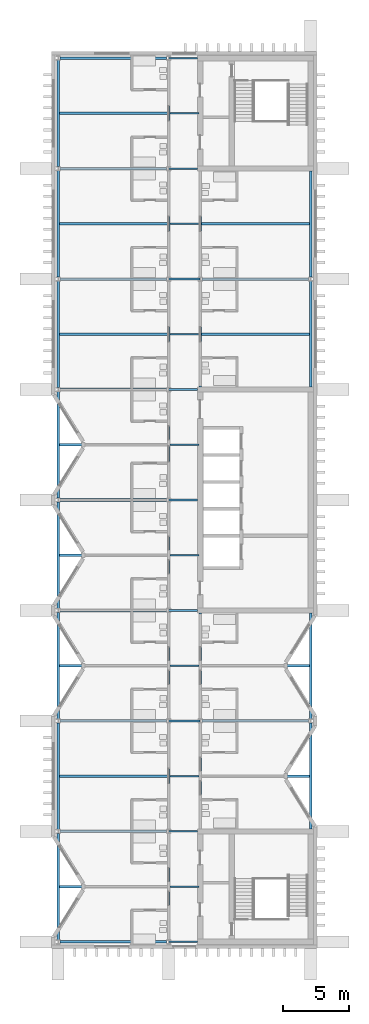
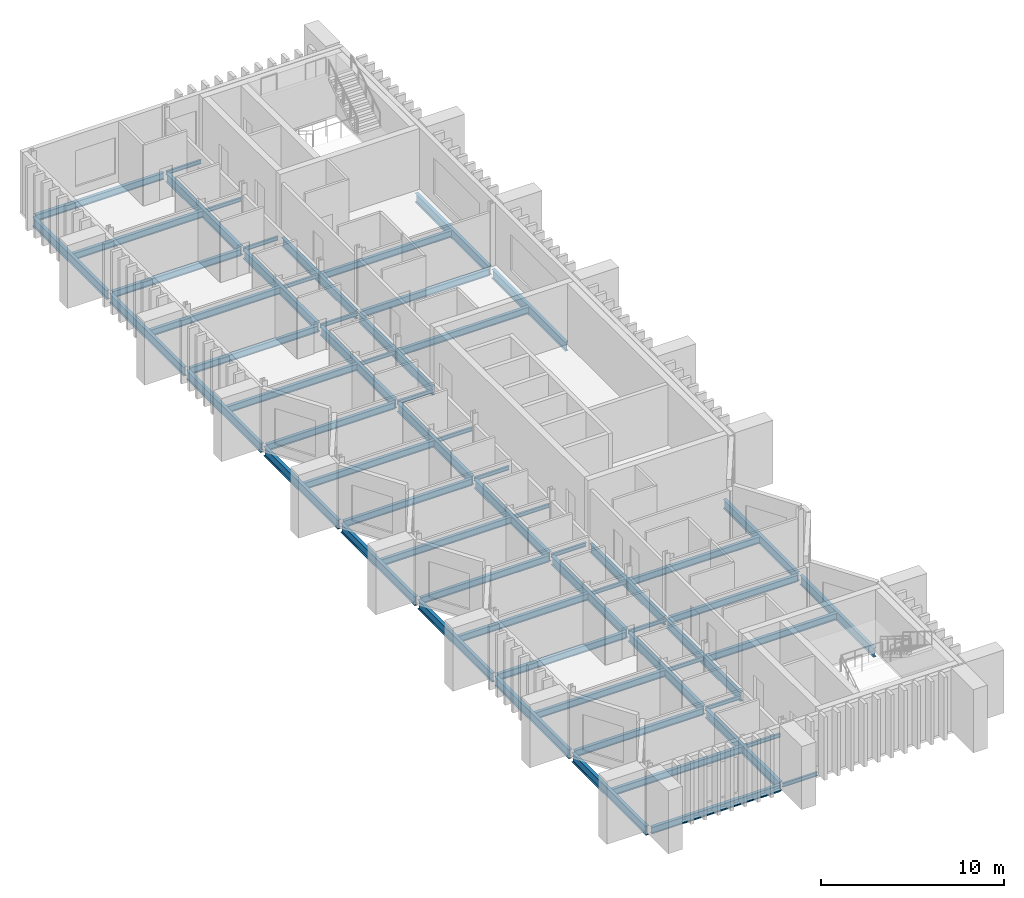
# One storey, part 3 of 10: 64 beams.
"""IFC4 building model written with IfcOpenShell, lengths in metres."""

from ifc_helpers import new_model, si_unit, direction, frame, origin, origin_2d, place, context, subcontext, project, spatial, i_section, extrude, material, material_profile, profile_set, type_object, element, save


model = new_model("IFC4")

# Units and contexts
model_context = context("Model", 3, precision=1e-05, world=origin(), true_north=direction((0.0, 1.0)))
body_context = subcontext(model_context, "Body", "Model", "MODEL_VIEW")
ifc_project = project(units=[si_unit("LENGTHUNIT", "METRE"), si_unit("AREAUNIT", "SQUARE_METRE"), si_unit("VOLUMEUNIT", "CUBIC_METRE"), si_unit("PLANEANGLEUNIT", "RADIAN"), si_unit("MASSUNIT", "GRAM", prefix="KILO")], contexts=[model_context])

# Site, building, storey
site_placement = place(None, origin())
site = spatial("IfcSite", under=ifc_project, at=site_placement, CompositionType="ELEMENT")
building_placement = place(site_placement, origin())
building = spatial("IfcBuilding", under=site, at=building_placement, Name="Cresset Court Congress Hotel", CompositionType="ELEMENT")
storey_placement = place(building_placement, frame((0.0, 0.0, 56.39990234375)))
storey = spatial("IfcBuildingStorey", under=building, at=storey_placement, Name="L13", CompositionType="ELEMENT", Elevation=56.39990234375)

# Beams
ifc_material_1 = material(Name="Structural steel Q355B", Category="steel")
ifc_material_profile_1 = material_profile(ifc_material_1, i_section(OverallWidth=0.198974609375, OverallDepth=0.446044921875, WebThickness=0.008056640625, FlangeThickness=0.011962890625, FilletRadius=0.012939453125, at=origin_2d()), Name="HN446x199x8x12")
ifc_profile_set_1 = profile_set([ifc_material_profile_1], Name="Structural steel Q355B")
beam_type_1 = type_object("IfcBeamType", Name="Steel beam HN446x199x8x12", PredefinedType="BEAM", material=ifc_profile_set_1)
beam_1_placement = place(storey_placement, frame((157.35009765625, 0.0, -0.372802734375), z_axis=(1.0, 0.0, 0.0), x_axis=(0.0, 1.0, 0.0)))
element("IfcBeam", 1, at=beam_1_placement, inside=storey, type_object=beam_type_1, Name="A.bm.L13.W.frame0.0", PredefinedType="BEAM", context=body_context, shape_type="SweptSolid", body=[
    extrude(i_section(OverallWidth=0.198974609375, OverallDepth=0.446044921875, WebThickness=0.008056640625, FlangeThickness=0.011962890625, FilletRadius=0.012939453125, at=origin_2d()), origin(), (0.0, 0.0, 1.0), 8.099853515625),
])
beam_2_placement = place(storey_placement, frame((157.300048828125, 4.199951171875, -0.372802734375), z_axis=(1.0, 0.0, 0.0), x_axis=(0.0, 1.0, 0.0)))
element("IfcBeam", 2, at=beam_2_placement, inside=storey, type_object=beam_type_1, Name="A.bm.L13.W.mid.0", PredefinedType="BEAM", context=body_context, shape_type="SweptSolid", body=[
    extrude(i_section(OverallWidth=0.198974609375, OverallDepth=0.446044921875, WebThickness=0.008056640625, FlangeThickness=0.011962890625, FilletRadius=0.012939453125, at=origin_2d()), origin(), (0.0, 0.0, 1.0), 8.199951171875),
])
beam_3_placement = place(storey_placement, frame((157.35009765625, 8.39990234375, -0.372802734375), z_axis=(1.0, 0.0, 0.0), x_axis=(0.0, 1.0, 0.0)))
element("IfcBeam", 3, at=beam_3_placement, inside=storey, type_object=beam_type_1, Name="A.bm.L13.W.frame0.1", PredefinedType="BEAM", context=body_context, shape_type="SweptSolid", body=[
    extrude(i_section(OverallWidth=0.198974609375, OverallDepth=0.446044921875, WebThickness=0.008056640625, FlangeThickness=0.011962890625, FilletRadius=0.012939453125, at=origin_2d()), origin(), (0.0, 0.0, 1.0), 8.099853515625),
])
for number, where, z_axis, x_axis, name in (
    (4, (157.300048828125, 12.60009765625, -0.372802734375), (1.0, 0.0, 0.0), (0.0, 1.0, 0.0), "A.bm.L13.W.mid.1"),
    (5, (168.10009765625, 12.60009765625, -0.372802734375), (1.0, 0.0, 0.0), (0.0, 1.0, 0.0), "A.bm.L13.E.mid.1"),
):
    element("IfcBeam", number, at=place(storey_placement, frame(where, z_axis=z_axis, x_axis=x_axis)), inside=storey, type_object=beam_type_1, Name=name, PredefinedType="BEAM", context=body_context, shape_type="SweptSolid", body=[
        extrude(i_section(OverallWidth=0.198974609375, OverallDepth=0.446044921875, WebThickness=0.008056640625, FlangeThickness=0.011962890625, FilletRadius=0.012939453125, at=origin_2d()), origin(), (0.0, 0.0, 1.0), 8.199951171875),
    ])
beam_4_placement = place(storey_placement, frame((157.35009765625, 16.800048828125, -0.372802734375), z_axis=(1.0, 0.0, 0.0), x_axis=(0.0, 1.0, 0.0)))
element("IfcBeam", 6, at=beam_4_placement, inside=storey, type_object=beam_type_1, Name="A.bm.L13.W.frame0.2", PredefinedType="BEAM", context=body_context, shape_type="SweptSolid", body=[
    extrude(i_section(OverallWidth=0.198974609375, OverallDepth=0.446044921875, WebThickness=0.008056640625, FlangeThickness=0.011962890625, FilletRadius=0.012939453125, at=origin_2d()), origin(), (0.0, 0.0, 1.0), 8.099853515625),
])
beam_5_placement = place(storey_placement, frame((168.14990234375, 16.800048828125, -0.372802734375), z_axis=(1.0, 0.0, 0.0), x_axis=(0.0, 1.0, 0.0)))
element("IfcBeam", 7, at=beam_5_placement, inside=storey, type_object=beam_type_1, Name="A.bm.L13.E.frame0.2", PredefinedType="BEAM", context=body_context, shape_type="SweptSolid", body=[
    extrude(i_section(OverallWidth=0.198974609375, OverallDepth=0.446044921875, WebThickness=0.008056640625, FlangeThickness=0.011962890625, FilletRadius=0.012939453125, at=origin_2d()), origin(), (0.0, 0.0, 1.0), 8.10009765625),
])
for number, where, z_axis, x_axis, name in (
    (8, (157.300048828125, 21.0, -0.372802734375), (1.0, 0.0, 0.0), (0.0, 1.0, 0.0), "A.bm.L13.W.mid.2"),
    (9, (168.10009765625, 21.0, -0.372802734375), (1.0, 0.0, 0.0), (0.0, 1.0, 0.0), "A.bm.L13.E.mid.2"),
):
    element("IfcBeam", number, at=place(storey_placement, frame(where, z_axis=z_axis, x_axis=x_axis)), inside=storey, type_object=beam_type_1, Name=name, PredefinedType="BEAM", context=body_context, shape_type="SweptSolid", body=[
        extrude(i_section(OverallWidth=0.198974609375, OverallDepth=0.446044921875, WebThickness=0.008056640625, FlangeThickness=0.011962890625, FilletRadius=0.012939453125, at=origin_2d()), origin(), (0.0, 0.0, 1.0), 8.199951171875),
    ])
beam_6_placement = place(storey_placement, frame((157.35009765625, 25.199951171875, -0.372802734375), z_axis=(1.0, 0.0, 0.0), x_axis=(0.0, 1.0, 0.0)))
element("IfcBeam", 10, at=beam_6_placement, inside=storey, type_object=beam_type_1, Name="A.bm.L13.W.frame0.3", PredefinedType="BEAM", context=body_context, shape_type="SweptSolid", body=[
    extrude(i_section(OverallWidth=0.198974609375, OverallDepth=0.446044921875, WebThickness=0.008056640625, FlangeThickness=0.011962890625, FilletRadius=0.012939453125, at=origin_2d()), origin(), (0.0, 0.0, 1.0), 8.099853515625),
])
beam_7_placement = place(storey_placement, frame((157.300048828125, 29.39990234375, -0.372802734375), z_axis=(1.0, 0.0, 0.0), x_axis=(0.0, 1.0, 0.0)))
element("IfcBeam", 11, at=beam_7_placement, inside=storey, type_object=beam_type_1, Name="A.bm.L13.W.mid.3", PredefinedType="BEAM", context=body_context, shape_type="SweptSolid", body=[
    extrude(i_section(OverallWidth=0.198974609375, OverallDepth=0.446044921875, WebThickness=0.008056640625, FlangeThickness=0.011962890625, FilletRadius=0.012939453125, at=origin_2d()), origin(), (0.0, 0.0, 1.0), 8.199951171875),
])
beam_8_placement = place(storey_placement, frame((157.35009765625, 33.60009765625, -0.372802734375), z_axis=(1.0, 0.0, 0.0), x_axis=(0.0, 1.0, 0.0)))
element("IfcBeam", 12, at=beam_8_placement, inside=storey, type_object=beam_type_1, Name="A.bm.L13.W.frame0.4", PredefinedType="BEAM", context=body_context, shape_type="SweptSolid", body=[
    extrude(i_section(OverallWidth=0.198974609375, OverallDepth=0.446044921875, WebThickness=0.008056640625, FlangeThickness=0.011962890625, FilletRadius=0.012939453125, at=origin_2d()), origin(), (0.0, 0.0, 1.0), 8.099853515625),
])
beam_9_placement = place(storey_placement, frame((157.300048828125, 37.800048828125, -0.372802734375), z_axis=(1.0, 0.0, 0.0), x_axis=(0.0, 1.0, 0.0)))
element("IfcBeam", 13, at=beam_9_placement, inside=storey, type_object=beam_type_1, Name="A.bm.L13.W.mid.4", PredefinedType="BEAM", context=body_context, shape_type="SweptSolid", body=[
    extrude(i_section(OverallWidth=0.198974609375, OverallDepth=0.446044921875, WebThickness=0.008056640625, FlangeThickness=0.011962890625, FilletRadius=0.012939453125, at=origin_2d()), origin(), (0.0, 0.0, 1.0), 8.199951171875),
])
beam_10_placement = place(storey_placement, frame((157.35009765625, 42.0, -0.372802734375), z_axis=(1.0, 0.0, 0.0), x_axis=(0.0, 1.0, 0.0)))
element("IfcBeam", 14, at=beam_10_placement, inside=storey, type_object=beam_type_1, Name="A.bm.L13.W.frame0.5", PredefinedType="BEAM", context=body_context, shape_type="SweptSolid", body=[
    extrude(i_section(OverallWidth=0.198974609375, OverallDepth=0.446044921875, WebThickness=0.008056640625, FlangeThickness=0.011962890625, FilletRadius=0.012939453125, at=origin_2d()), origin(), (0.0, 0.0, 1.0), 8.099853515625),
])
for number, where, z_axis, x_axis, name in (
    (15, (157.300048828125, 46.199951171875, -0.372802734375), (1.0, 0.0, 0.0), (0.0, 1.0, 0.0), "A.bm.L13.W.mid.5"),
    (16, (168.10009765625, 46.199951171875, -0.372802734375), (1.0, 0.0, 0.0), (0.0, 1.0, 0.0), "A.bm.L13.E.mid.5"),
):
    element("IfcBeam", number, at=place(storey_placement, frame(where, z_axis=z_axis, x_axis=x_axis)), inside=storey, type_object=beam_type_1, Name=name, PredefinedType="BEAM", context=body_context, shape_type="SweptSolid", body=[
        extrude(i_section(OverallWidth=0.198974609375, OverallDepth=0.446044921875, WebThickness=0.008056640625, FlangeThickness=0.011962890625, FilletRadius=0.012939453125, at=origin_2d()), origin(), (0.0, 0.0, 1.0), 8.199951171875),
    ])
beam_11_placement = place(storey_placement, frame((157.35009765625, 50.39990234375, -0.372802734375), z_axis=(1.0, 0.0, 0.0), x_axis=(0.0, 1.0, 0.0)))
element("IfcBeam", 17, at=beam_11_placement, inside=storey, type_object=beam_type_1, Name="A.bm.L13.W.frame0.6", PredefinedType="BEAM", context=body_context, shape_type="SweptSolid", body=[
    extrude(i_section(OverallWidth=0.198974609375, OverallDepth=0.446044921875, WebThickness=0.008056640625, FlangeThickness=0.011962890625, FilletRadius=0.012939453125, at=origin_2d()), origin(), (0.0, 0.0, 1.0), 8.099853515625),
])
beam_12_placement = place(storey_placement, frame((168.14990234375, 50.39990234375, -0.372802734375), z_axis=(1.0, 0.0, 0.0), x_axis=(0.0, 1.0, 0.0)))
element("IfcBeam", 18, at=beam_12_placement, inside=storey, type_object=beam_type_1, Name="A.bm.L13.E.frame0.6", PredefinedType="BEAM", context=body_context, shape_type="SweptSolid", body=[
    extrude(i_section(OverallWidth=0.198974609375, OverallDepth=0.446044921875, WebThickness=0.008056640625, FlangeThickness=0.011962890625, FilletRadius=0.012939453125, at=origin_2d()), origin(), (0.0, 0.0, 1.0), 8.10009765625),
])
for number, where, z_axis, x_axis, name in (
    (19, (157.300048828125, 54.60009765625, -0.372802734375), (1.0, 0.0, 0.0), (0.0, 1.0, 0.0), "A.bm.L13.W.mid.6"),
    (20, (168.10009765625, 54.60009765625, -0.372802734375), (1.0, 0.0, 0.0), (0.0, 1.0, 0.0), "A.bm.L13.E.mid.6"),
):
    element("IfcBeam", number, at=place(storey_placement, frame(where, z_axis=z_axis, x_axis=x_axis)), inside=storey, type_object=beam_type_1, Name=name, PredefinedType="BEAM", context=body_context, shape_type="SweptSolid", body=[
        extrude(i_section(OverallWidth=0.198974609375, OverallDepth=0.446044921875, WebThickness=0.008056640625, FlangeThickness=0.011962890625, FilletRadius=0.012939453125, at=origin_2d()), origin(), (0.0, 0.0, 1.0), 8.199951171875),
    ])
beam_13_placement = place(storey_placement, frame((157.35009765625, 58.800048828125, -0.372802734375), z_axis=(1.0, 0.0, 0.0), x_axis=(0.0, 1.0, 0.0)))
element("IfcBeam", 21, at=beam_13_placement, inside=storey, type_object=beam_type_1, Name="A.bm.L13.W.frame0.7", PredefinedType="BEAM", context=body_context, shape_type="SweptSolid", body=[
    extrude(i_section(OverallWidth=0.198974609375, OverallDepth=0.446044921875, WebThickness=0.008056640625, FlangeThickness=0.011962890625, FilletRadius=0.012939453125, at=origin_2d()), origin(), (0.0, 0.0, 1.0), 8.099853515625),
])
beam_14_placement = place(storey_placement, frame((157.300048828125, 63.0, -0.372802734375), z_axis=(1.0, 0.0, 0.0), x_axis=(0.0, 1.0, 0.0)))
element("IfcBeam", 22, at=beam_14_placement, inside=storey, type_object=beam_type_1, Name="A.bm.L13.W.mid.7", PredefinedType="BEAM", context=body_context, shape_type="SweptSolid", body=[
    extrude(i_section(OverallWidth=0.198974609375, OverallDepth=0.446044921875, WebThickness=0.008056640625, FlangeThickness=0.011962890625, FilletRadius=0.012939453125, at=origin_2d()), origin(), (0.0, 0.0, 1.0), 8.199951171875),
])
beam_15_placement = place(storey_placement, frame((157.35009765625, 67.199951171875, -0.372802734375), z_axis=(1.0, 0.0, 0.0), x_axis=(0.0, 1.0, 0.0)))
element("IfcBeam", 23, at=beam_15_placement, inside=storey, type_object=beam_type_1, Name="A.bm.L13.W.frame1.7", PredefinedType="BEAM", context=body_context, shape_type="SweptSolid", body=[
    extrude(i_section(OverallWidth=0.198974609375, OverallDepth=0.446044921875, WebThickness=0.008056640625, FlangeThickness=0.011962890625, FilletRadius=0.012939453125, at=origin_2d()), origin(), (0.0, 0.0, 1.0), 8.099853515625),
])
ifc_material_2 = material(Name="Structural steel Q355B", Category="steel")
ifc_material_profile_2 = material_profile(ifc_material_2, i_section(OverallWidth=0.125, OverallDepth=0.25, WebThickness=0.006103515625, FlangeThickness=0.009033203125, FilletRadius=0.012939453125, at=origin_2d()), Name="HN250x125x6x9")
ifc_profile_set_2 = profile_set([ifc_material_profile_2], Name="Structural steel Q355B")
beam_type_2 = type_object("IfcBeamType", Name="Steel corridor beam HN250x125x6x9", PredefinedType="BEAM", material=ifc_profile_set_2)
beam_16_placement = place(storey_placement, frame((165.60498046875, 0.0, -0.27490234375), z_axis=(1.0, 0.0, 0.0), x_axis=(0.0, 1.0, 0.0)))
element("IfcBeam", 24, at=beam_16_placement, inside=storey, type_object=beam_type_2, Name="A.bm.L13.C.frame0.0", PredefinedType="BEAM", context=body_context, shape_type="SweptSolid", body=[
    extrude(i_section(OverallWidth=0.125, OverallDepth=0.25, WebThickness=0.006103515625, FlangeThickness=0.009033203125, FilletRadius=0.012939453125, at=origin_2d()), origin(), (0.0, 0.0, 1.0), 2.195068359375),
])
beam_17_placement = place(storey_placement, frame((165.699951171875, 4.199951171875, -0.27490234375), z_axis=(1.0, 0.0, 0.0), x_axis=(0.0, 1.0, 0.0)))
element("IfcBeam", 25, at=beam_17_placement, inside=storey, type_object=beam_type_2, Name="A.bm.L13.C.mid.0", PredefinedType="BEAM", context=body_context, shape_type="SweptSolid", body=[
    extrude(i_section(OverallWidth=0.125, OverallDepth=0.25, WebThickness=0.006103515625, FlangeThickness=0.009033203125, FilletRadius=0.012939453125, at=origin_2d()), origin(), (0.0, 0.0, 1.0), 2.199951171875),
])
beam_18_placement = place(storey_placement, frame((165.60498046875, 8.39990234375, -0.27490234375), z_axis=(1.0, 0.0, 0.0), x_axis=(0.0, 1.0, 0.0)))
element("IfcBeam", 26, at=beam_18_placement, inside=storey, type_object=beam_type_2, Name="A.bm.L13.C.frame0.1", PredefinedType="BEAM", context=body_context, shape_type="SweptSolid", body=[
    extrude(i_section(OverallWidth=0.125, OverallDepth=0.25, WebThickness=0.006103515625, FlangeThickness=0.009033203125, FilletRadius=0.012939453125, at=origin_2d()), origin(), (0.0, 0.0, 1.0), 2.195068359375),
])
beam_19_placement = place(storey_placement, frame((165.699951171875, 12.60009765625, -0.27490234375), z_axis=(1.0, 0.0, 0.0), x_axis=(0.0, 1.0, 0.0)))
element("IfcBeam", 27, at=beam_19_placement, inside=storey, type_object=beam_type_2, Name="A.bm.L13.C.mid.1", PredefinedType="BEAM", context=body_context, shape_type="SweptSolid", body=[
    extrude(i_section(OverallWidth=0.125, OverallDepth=0.25, WebThickness=0.006103515625, FlangeThickness=0.009033203125, FilletRadius=0.012939453125, at=origin_2d()), origin(), (0.0, 0.0, 1.0), 2.199951171875),
])
beam_20_placement = place(storey_placement, frame((165.60498046875, 16.800048828125, -0.27490234375), z_axis=(1.0, 0.0, 0.0), x_axis=(0.0, 1.0, 0.0)))
element("IfcBeam", 28, at=beam_20_placement, inside=storey, type_object=beam_type_2, Name="A.bm.L13.C.frame0.2", PredefinedType="BEAM", context=body_context, shape_type="SweptSolid", body=[
    extrude(i_section(OverallWidth=0.125, OverallDepth=0.25, WebThickness=0.006103515625, FlangeThickness=0.009033203125, FilletRadius=0.012939453125, at=origin_2d()), origin(), (0.0, 0.0, 1.0), 2.39013671875),
])
beam_21_placement = place(storey_placement, frame((165.699951171875, 21.0, -0.27490234375), z_axis=(1.0, 0.0, 0.0), x_axis=(0.0, 1.0, 0.0)))
element("IfcBeam", 29, at=beam_21_placement, inside=storey, type_object=beam_type_2, Name="A.bm.L13.C.mid.2", PredefinedType="BEAM", context=body_context, shape_type="SweptSolid", body=[
    extrude(i_section(OverallWidth=0.125, OverallDepth=0.25, WebThickness=0.006103515625, FlangeThickness=0.009033203125, FilletRadius=0.012939453125, at=origin_2d()), origin(), (0.0, 0.0, 1.0), 2.199951171875),
])
beam_22_placement = place(storey_placement, frame((165.60498046875, 25.199951171875, -0.27490234375), z_axis=(1.0, 0.0, 0.0), x_axis=(0.0, 1.0, 0.0)))
element("IfcBeam", 30, at=beam_22_placement, inside=storey, type_object=beam_type_2, Name="A.bm.L13.C.frame0.3", PredefinedType="BEAM", context=body_context, shape_type="SweptSolid", body=[
    extrude(i_section(OverallWidth=0.125, OverallDepth=0.25, WebThickness=0.006103515625, FlangeThickness=0.009033203125, FilletRadius=0.012939453125, at=origin_2d()), origin(), (0.0, 0.0, 1.0), 2.195068359375),
])
beam_23_placement = place(storey_placement, frame((165.699951171875, 29.39990234375, -0.27490234375), z_axis=(1.0, 0.0, 0.0), x_axis=(0.0, 1.0, 0.0)))
element("IfcBeam", 31, at=beam_23_placement, inside=storey, type_object=beam_type_2, Name="A.bm.L13.C.mid.3", PredefinedType="BEAM", context=body_context, shape_type="SweptSolid", body=[
    extrude(i_section(OverallWidth=0.125, OverallDepth=0.25, WebThickness=0.006103515625, FlangeThickness=0.009033203125, FilletRadius=0.012939453125, at=origin_2d()), origin(), (0.0, 0.0, 1.0), 2.199951171875),
])
beam_24_placement = place(storey_placement, frame((165.60498046875, 33.60009765625, -0.27490234375), z_axis=(1.0, 0.0, 0.0), x_axis=(0.0, 1.0, 0.0)))
element("IfcBeam", 32, at=beam_24_placement, inside=storey, type_object=beam_type_2, Name="A.bm.L13.C.frame0.4", PredefinedType="BEAM", context=body_context, shape_type="SweptSolid", body=[
    extrude(i_section(OverallWidth=0.125, OverallDepth=0.25, WebThickness=0.006103515625, FlangeThickness=0.009033203125, FilletRadius=0.012939453125, at=origin_2d()), origin(), (0.0, 0.0, 1.0), 2.195068359375),
])
beam_25_placement = place(storey_placement, frame((165.699951171875, 37.800048828125, -0.27490234375), z_axis=(1.0, 0.0, 0.0), x_axis=(0.0, 1.0, 0.0)))
element("IfcBeam", 33, at=beam_25_placement, inside=storey, type_object=beam_type_2, Name="A.bm.L13.C.mid.4", PredefinedType="BEAM", context=body_context, shape_type="SweptSolid", body=[
    extrude(i_section(OverallWidth=0.125, OverallDepth=0.25, WebThickness=0.006103515625, FlangeThickness=0.009033203125, FilletRadius=0.012939453125, at=origin_2d()), origin(), (0.0, 0.0, 1.0), 2.199951171875),
])
beam_26_placement = place(storey_placement, frame((165.60498046875, 42.0, -0.27490234375), z_axis=(1.0, 0.0, 0.0), x_axis=(0.0, 1.0, 0.0)))
element("IfcBeam", 34, at=beam_26_placement, inside=storey, type_object=beam_type_2, Name="A.bm.L13.C.frame0.5", PredefinedType="BEAM", context=body_context, shape_type="SweptSolid", body=[
    extrude(i_section(OverallWidth=0.125, OverallDepth=0.25, WebThickness=0.006103515625, FlangeThickness=0.009033203125, FilletRadius=0.012939453125, at=origin_2d()), origin(), (0.0, 0.0, 1.0), 2.195068359375),
])
beam_27_placement = place(storey_placement, frame((165.699951171875, 46.199951171875, -0.27490234375), z_axis=(1.0, 0.0, 0.0), x_axis=(0.0, 1.0, 0.0)))
element("IfcBeam", 35, at=beam_27_placement, inside=storey, type_object=beam_type_2, Name="A.bm.L13.C.mid.5", PredefinedType="BEAM", context=body_context, shape_type="SweptSolid", body=[
    extrude(i_section(OverallWidth=0.125, OverallDepth=0.25, WebThickness=0.006103515625, FlangeThickness=0.009033203125, FilletRadius=0.012939453125, at=origin_2d()), origin(), (0.0, 0.0, 1.0), 2.199951171875),
])
beam_28_placement = place(storey_placement, frame((165.60498046875, 50.39990234375, -0.27490234375), z_axis=(1.0, 0.0, 0.0), x_axis=(0.0, 1.0, 0.0)))
element("IfcBeam", 36, at=beam_28_placement, inside=storey, type_object=beam_type_2, Name="A.bm.L13.C.frame0.6", PredefinedType="BEAM", context=body_context, shape_type="SweptSolid", body=[
    extrude(i_section(OverallWidth=0.125, OverallDepth=0.25, WebThickness=0.006103515625, FlangeThickness=0.009033203125, FilletRadius=0.012939453125, at=origin_2d()), origin(), (0.0, 0.0, 1.0), 2.39013671875),
])
beam_29_placement = place(storey_placement, frame((165.699951171875, 54.60009765625, -0.27490234375), z_axis=(1.0, 0.0, 0.0), x_axis=(0.0, 1.0, 0.0)))
element("IfcBeam", 37, at=beam_29_placement, inside=storey, type_object=beam_type_2, Name="A.bm.L13.C.mid.6", PredefinedType="BEAM", context=body_context, shape_type="SweptSolid", body=[
    extrude(i_section(OverallWidth=0.125, OverallDepth=0.25, WebThickness=0.006103515625, FlangeThickness=0.009033203125, FilletRadius=0.012939453125, at=origin_2d()), origin(), (0.0, 0.0, 1.0), 2.199951171875),
])
beam_30_placement = place(storey_placement, frame((165.60498046875, 58.800048828125, -0.27490234375), z_axis=(1.0, 0.0, 0.0), x_axis=(0.0, 1.0, 0.0)))
element("IfcBeam", 38, at=beam_30_placement, inside=storey, type_object=beam_type_2, Name="A.bm.L13.C.frame0.7", PredefinedType="BEAM", context=body_context, shape_type="SweptSolid", body=[
    extrude(i_section(OverallWidth=0.125, OverallDepth=0.25, WebThickness=0.006103515625, FlangeThickness=0.009033203125, FilletRadius=0.012939453125, at=origin_2d()), origin(), (0.0, 0.0, 1.0), 2.195068359375),
])
beam_31_placement = place(storey_placement, frame((165.699951171875, 63.0, -0.27490234375), z_axis=(1.0, 0.0, 0.0), x_axis=(0.0, 1.0, 0.0)))
element("IfcBeam", 39, at=beam_31_placement, inside=storey, type_object=beam_type_2, Name="A.bm.L13.C.mid.7", PredefinedType="BEAM", context=body_context, shape_type="SweptSolid", body=[
    extrude(i_section(OverallWidth=0.125, OverallDepth=0.25, WebThickness=0.006103515625, FlangeThickness=0.009033203125, FilletRadius=0.012939453125, at=origin_2d()), origin(), (0.0, 0.0, 1.0), 2.199951171875),
])
beam_32_placement = place(storey_placement, frame((165.60498046875, 67.199951171875, -0.27490234375), z_axis=(1.0, 0.0, 0.0), x_axis=(0.0, 1.0, 0.0)))
element("IfcBeam", 40, at=beam_32_placement, inside=storey, type_object=beam_type_2, Name="A.bm.L13.C.frame1.7", PredefinedType="BEAM", context=body_context, shape_type="SweptSolid", body=[
    extrude(i_section(OverallWidth=0.125, OverallDepth=0.25, WebThickness=0.006103515625, FlangeThickness=0.009033203125, FilletRadius=0.012939453125, at=origin_2d()), origin(), (0.0, 0.0, 1.0), 2.195068359375),
])
ifc_material_3 = material(Name="Structural steel Q355B", Category="steel")
ifc_material_profile_3 = material_profile(ifc_material_3, i_section(OverallWidth=0.199951171875, OverallDepth=0.60009765625, WebThickness=0.010986328125, FlangeThickness=0.01708984375, FilletRadius=0.012939453125, at=origin_2d()), Name="HN600x200x11x17")
ifc_profile_set_3 = profile_set([ifc_material_profile_3], Name="Structural steel Q355B")
beam_type_3 = type_object("IfcBeamType", Name="Steel girder HN600x200x11x17", PredefinedType="BEAM", material=ifc_profile_set_3)
beam_33_placement = place(storey_placement, frame((157.199951171875, 0.14990234375, -0.449951171875), z_axis=(0.0, 1.0, 0.0), x_axis=(-1.0, 0.0, 0.0)))
element("IfcBeam", 41, at=beam_33_placement, inside=storey, type_object=beam_type_3, Name="A.gir.L13.0.0", PredefinedType="BEAM", context=body_context, shape_type="SweptSolid", body=[
    extrude(i_section(OverallWidth=0.199951171875, OverallDepth=0.60009765625, WebThickness=0.010986328125, FlangeThickness=0.01708984375, FilletRadius=0.012939453125, at=origin_2d()), origin(), (0.0, 0.0, 1.0), 8.10009765625),
])
beam_34_placement = place(storey_placement, frame((157.199951171875, 8.550048828125, -0.449951171875), z_axis=(0.0, 1.0, 0.0), x_axis=(-1.0, 0.0, 0.0)))
element("IfcBeam", 42, at=beam_34_placement, inside=storey, type_object=beam_type_3, Name="A.gir.L13.0.1", PredefinedType="BEAM", context=body_context, shape_type="SweptSolid", body=[
    extrude(i_section(OverallWidth=0.199951171875, OverallDepth=0.60009765625, WebThickness=0.010986328125, FlangeThickness=0.01708984375, FilletRadius=0.012939453125, at=origin_2d()), origin(), (0.0, 0.0, 1.0), 8.099853515625),
])
beam_35_placement = place(storey_placement, frame((157.199951171875, 16.949951171875, -0.449951171875), z_axis=(0.0, 1.0, 0.0), x_axis=(-1.0, 0.0, 0.0)))
element("IfcBeam", 43, at=beam_35_placement, inside=storey, type_object=beam_type_3, Name="A.gir.L13.0.2", PredefinedType="BEAM", context=body_context, shape_type="SweptSolid", body=[
    extrude(i_section(OverallWidth=0.199951171875, OverallDepth=0.60009765625, WebThickness=0.010986328125, FlangeThickness=0.01708984375, FilletRadius=0.012939453125, at=origin_2d()), origin(), (0.0, 0.0, 1.0), 8.10009765625),
])
beam_36_placement = place(storey_placement, frame((157.199951171875, 25.35009765625, -0.449951171875), z_axis=(0.0, 1.0, 0.0), x_axis=(-1.0, 0.0, 0.0)))
element("IfcBeam", 44, at=beam_36_placement, inside=storey, type_object=beam_type_3, Name="A.gir.L13.0.3", PredefinedType="BEAM", context=body_context, shape_type="SweptSolid", body=[
    extrude(i_section(OverallWidth=0.199951171875, OverallDepth=0.60009765625, WebThickness=0.010986328125, FlangeThickness=0.01708984375, FilletRadius=0.012939453125, at=origin_2d()), origin(), (0.0, 0.0, 1.0), 8.099853515625),
])
for number, where, z_axis, x_axis, name in (
    (45, (157.199951171875, 33.75, -0.449951171875), (0.0, 1.0, 0.0), (-1.0, 0.0, 0.0), "A.gir.L13.0.4"),
    (46, (157.199951171875, 42.14990234375, -0.449951171875), (0.0, 1.0, 0.0), (-1.0, 0.0, 0.0), "A.gir.L13.0.5"),
):
    element("IfcBeam", number, at=place(storey_placement, frame(where, z_axis=z_axis, x_axis=x_axis)), inside=storey, type_object=beam_type_3, Name=name, PredefinedType="BEAM", context=body_context, shape_type="SweptSolid", body=[
        extrude(i_section(OverallWidth=0.199951171875, OverallDepth=0.60009765625, WebThickness=0.010986328125, FlangeThickness=0.01708984375, FilletRadius=0.012939453125, at=origin_2d()), origin(), (0.0, 0.0, 1.0), 8.10009765625),
    ])
beam_37_placement = place(storey_placement, frame((157.199951171875, 50.550048828125, -0.449951171875), z_axis=(0.0, 1.0, 0.0), x_axis=(-1.0, 0.0, 0.0)))
element("IfcBeam", 47, at=beam_37_placement, inside=storey, type_object=beam_type_3, Name="A.gir.L13.0.6", PredefinedType="BEAM", context=body_context, shape_type="SweptSolid", body=[
    extrude(i_section(OverallWidth=0.199951171875, OverallDepth=0.60009765625, WebThickness=0.010986328125, FlangeThickness=0.01708984375, FilletRadius=0.012939453125, at=origin_2d()), origin(), (0.0, 0.0, 1.0), 8.099853515625),
])
for number, where, z_axis, x_axis, name in (
    (48, (157.199951171875, 58.949951171875, -0.449951171875), (0.0, 1.0, 0.0), (-1.0, 0.0, 0.0), "A.gir.L13.0.7"),
    (49, (165.60009765625, 0.14990234375, -0.449951171875), (0.0, 1.0, 0.0), (-1.0, 0.0, 0.0), "A.gir.L13.1.0"),
):
    element("IfcBeam", number, at=place(storey_placement, frame(where, z_axis=z_axis, x_axis=x_axis)), inside=storey, type_object=beam_type_3, Name=name, PredefinedType="BEAM", context=body_context, shape_type="SweptSolid", body=[
        extrude(i_section(OverallWidth=0.199951171875, OverallDepth=0.60009765625, WebThickness=0.010986328125, FlangeThickness=0.01708984375, FilletRadius=0.012939453125, at=origin_2d()), origin(), (0.0, 0.0, 1.0), 8.10009765625),
    ])
beam_38_placement = place(storey_placement, frame((165.60009765625, 8.550048828125, -0.449951171875), z_axis=(0.0, 1.0, 0.0), x_axis=(-1.0, 0.0, 0.0)))
element("IfcBeam", 50, at=beam_38_placement, inside=storey, type_object=beam_type_3, Name="A.gir.L13.1.1", PredefinedType="BEAM", context=body_context, shape_type="SweptSolid", body=[
    extrude(i_section(OverallWidth=0.199951171875, OverallDepth=0.60009765625, WebThickness=0.010986328125, FlangeThickness=0.01708984375, FilletRadius=0.012939453125, at=origin_2d()), origin(), (0.0, 0.0, 1.0), 8.099853515625),
])
beam_39_placement = place(storey_placement, frame((165.60009765625, 16.949951171875, -0.449951171875), z_axis=(0.0, 1.0, 0.0), x_axis=(-1.0, 0.0, 0.0)))
element("IfcBeam", 51, at=beam_39_placement, inside=storey, type_object=beam_type_3, Name="A.gir.L13.1.2", PredefinedType="BEAM", context=body_context, shape_type="SweptSolid", body=[
    extrude(i_section(OverallWidth=0.199951171875, OverallDepth=0.60009765625, WebThickness=0.010986328125, FlangeThickness=0.01708984375, FilletRadius=0.012939453125, at=origin_2d()), origin(), (0.0, 0.0, 1.0), 8.10009765625),
])
beam_40_placement = place(storey_placement, frame((165.60009765625, 25.35009765625, -0.449951171875), z_axis=(0.0, 1.0, 0.0), x_axis=(-1.0, 0.0, 0.0)))
element("IfcBeam", 52, at=beam_40_placement, inside=storey, type_object=beam_type_3, Name="A.gir.L13.1.3", PredefinedType="BEAM", context=body_context, shape_type="SweptSolid", body=[
    extrude(i_section(OverallWidth=0.199951171875, OverallDepth=0.60009765625, WebThickness=0.010986328125, FlangeThickness=0.01708984375, FilletRadius=0.012939453125, at=origin_2d()), origin(), (0.0, 0.0, 1.0), 8.099853515625),
])
for number, where, z_axis, x_axis, name in (
    (53, (165.60009765625, 33.75, -0.449951171875), (0.0, 1.0, 0.0), (-1.0, 0.0, 0.0), "A.gir.L13.1.4"),
    (54, (165.60009765625, 42.14990234375, -0.449951171875), (0.0, 1.0, 0.0), (-1.0, 0.0, 0.0), "A.gir.L13.1.5"),
):
    element("IfcBeam", number, at=place(storey_placement, frame(where, z_axis=z_axis, x_axis=x_axis)), inside=storey, type_object=beam_type_3, Name=name, PredefinedType="BEAM", context=body_context, shape_type="SweptSolid", body=[
        extrude(i_section(OverallWidth=0.199951171875, OverallDepth=0.60009765625, WebThickness=0.010986328125, FlangeThickness=0.01708984375, FilletRadius=0.012939453125, at=origin_2d()), origin(), (0.0, 0.0, 1.0), 8.10009765625),
    ])
beam_41_placement = place(storey_placement, frame((165.60009765625, 50.550048828125, -0.449951171875), z_axis=(0.0, 1.0, 0.0), x_axis=(-1.0, 0.0, 0.0)))
element("IfcBeam", 55, at=beam_41_placement, inside=storey, type_object=beam_type_3, Name="A.gir.L13.1.6", PredefinedType="BEAM", context=body_context, shape_type="SweptSolid", body=[
    extrude(i_section(OverallWidth=0.199951171875, OverallDepth=0.60009765625, WebThickness=0.010986328125, FlangeThickness=0.01708984375, FilletRadius=0.012939453125, at=origin_2d()), origin(), (0.0, 0.0, 1.0), 8.099853515625),
])
beam_42_placement = place(storey_placement, frame((165.60009765625, 58.949951171875, -0.449951171875), z_axis=(0.0, 1.0, 0.0), x_axis=(-1.0, 0.0, 0.0)))
element("IfcBeam", 56, at=beam_42_placement, inside=storey, type_object=beam_type_3, Name="A.gir.L13.1.7", PredefinedType="BEAM", context=body_context, shape_type="SweptSolid", body=[
    extrude(i_section(OverallWidth=0.199951171875, OverallDepth=0.60009765625, WebThickness=0.010986328125, FlangeThickness=0.01708984375, FilletRadius=0.012939453125, at=origin_2d()), origin(), (0.0, 0.0, 1.0), 8.10009765625),
])
beam_43_placement = place(storey_placement, frame((168.0, 8.60009765625, -0.449951171875), z_axis=(0.0, 1.0, 0.0), x_axis=(-1.0, 0.0, 0.0)))
element("IfcBeam", 57, at=beam_43_placement, inside=storey, type_object=beam_type_3, Name="A.gir.L13.2.1", PredefinedType="BEAM", context=body_context, shape_type="SweptSolid", body=[
    extrude(i_section(OverallWidth=0.199951171875, OverallDepth=0.60009765625, WebThickness=0.010986328125, FlangeThickness=0.01708984375, FilletRadius=0.012939453125, at=origin_2d()), origin(), (0.0, 0.0, 1.0), 8.0498046875),
])
for number, where, z_axis, x_axis, name in (
    (58, (168.0, 16.949951171875, -0.449951171875), (0.0, 1.0, 0.0), (-1.0, 0.0, 0.0), "A.gir.L13.2.2"),
    (59, (168.0, 42.199951171875, -0.449951171875), (0.0, 1.0, 0.0), (-1.0, 0.0, 0.0), "A.gir.L13.2.5"),
    (60, (168.0, 50.550048828125, -0.449951171875), (0.0, 1.0, 0.0), (-1.0, 0.0, 0.0), "A.gir.L13.2.6"),
):
    element("IfcBeam", number, at=place(storey_placement, frame(where, z_axis=z_axis, x_axis=x_axis)), inside=storey, type_object=beam_type_3, Name=name, PredefinedType="BEAM", context=body_context, shape_type="SweptSolid", body=[
        extrude(i_section(OverallWidth=0.199951171875, OverallDepth=0.60009765625, WebThickness=0.010986328125, FlangeThickness=0.01708984375, FilletRadius=0.012939453125, at=origin_2d()), origin(), (0.0, 0.0, 1.0), 8.050048828125),
    ])
beam_44_placement = place(storey_placement, frame((176.39990234375, 8.60009765625, -0.449951171875), z_axis=(0.0, 1.0, 0.0), x_axis=(-1.0, 0.0, 0.0)))
element("IfcBeam", 61, at=beam_44_placement, inside=storey, type_object=beam_type_3, Name="A.gir.L13.3.1", PredefinedType="BEAM", context=body_context, shape_type="SweptSolid", body=[
    extrude(i_section(OverallWidth=0.199951171875, OverallDepth=0.60009765625, WebThickness=0.010986328125, FlangeThickness=0.01708984375, FilletRadius=0.012939453125, at=origin_2d()), origin(), (0.0, 0.0, 1.0), 8.0498046875),
])
for number, where, z_axis, x_axis, name in (
    (62, (176.39990234375, 16.949951171875, -0.449951171875), (0.0, 1.0, 0.0), (-1.0, 0.0, 0.0), "A.gir.L13.3.2"),
    (63, (176.39990234375, 42.199951171875, -0.449951171875), (0.0, 1.0, 0.0), (-1.0, 0.0, 0.0), "A.gir.L13.3.5"),
    (64, (176.39990234375, 50.550048828125, -0.449951171875), (0.0, 1.0, 0.0), (-1.0, 0.0, 0.0), "A.gir.L13.3.6"),
):
    element("IfcBeam", number, at=place(storey_placement, frame(where, z_axis=z_axis, x_axis=x_axis)), inside=storey, type_object=beam_type_3, Name=name, PredefinedType="BEAM", context=body_context, shape_type="SweptSolid", body=[
        extrude(i_section(OverallWidth=0.199951171875, OverallDepth=0.60009765625, WebThickness=0.010986328125, FlangeThickness=0.01708984375, FilletRadius=0.012939453125, at=origin_2d()), origin(), (0.0, 0.0, 1.0), 8.050048828125),
    ])

save(model, "model.ifc")
